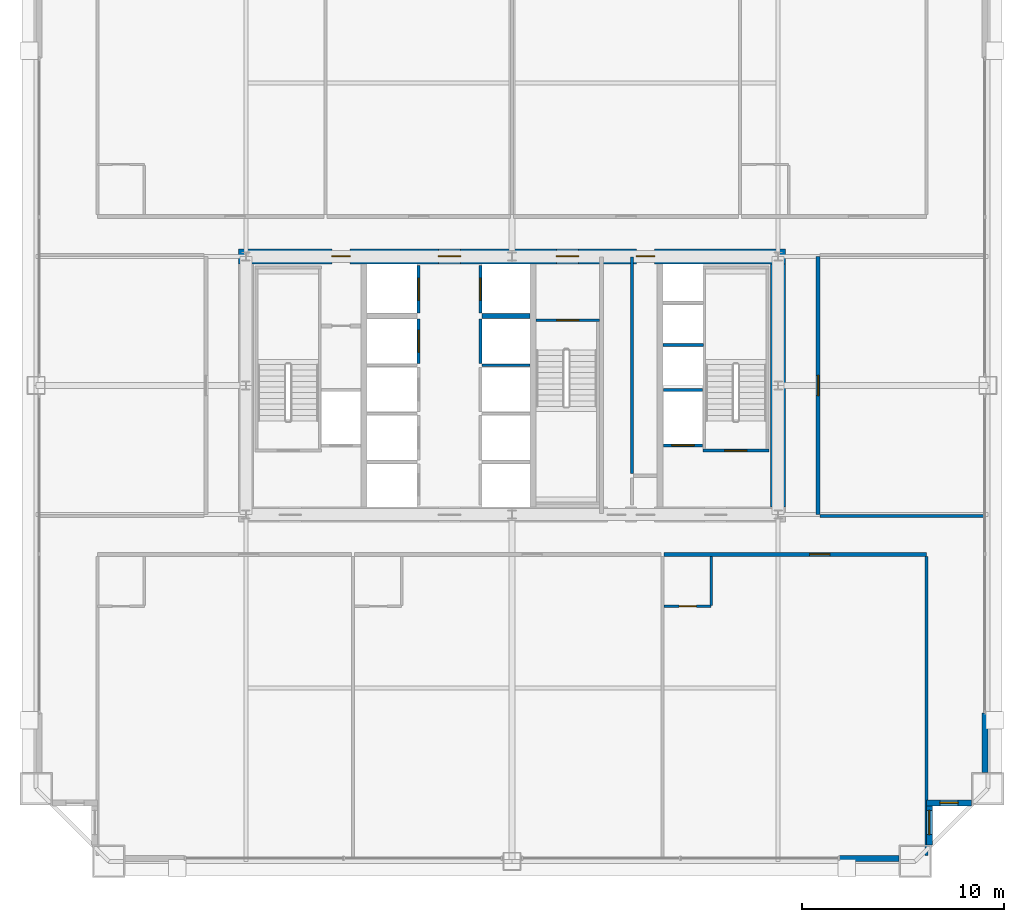
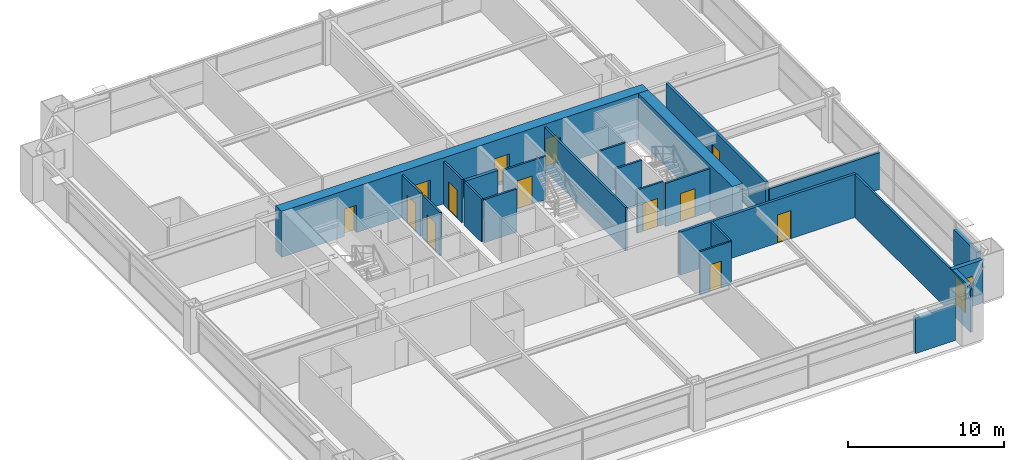
# One storey, part 35 of 37: 24 walls, 13 doors, 2 windows, 15 openings.
"""IFC4 building model written with IfcOpenShell, lengths in metres."""

from ifc_helpers import new_model, si_unit, direction, frame, frame_2d, origin, place, context, subcontext, project, spatial, rectangle, extrude, source, transform, mapped, material, layer, layer_set, type_object, element, fill, save


model = new_model("IFC4")

# Units and contexts
model_context = context("Model", 3, precision=1e-05, world=origin(), true_north=direction((0.0, 1.0)))
body_context = subcontext(model_context, "Body", "Model", "MODEL_VIEW")
ifc_project = project(units=[si_unit("LENGTHUNIT", "METRE"), si_unit("AREAUNIT", "SQUARE_METRE"), si_unit("VOLUMEUNIT", "CUBIC_METRE"), si_unit("PLANEANGLEUNIT", "RADIAN"), si_unit("MASSUNIT", "GRAM", prefix="KILO"), si_unit("THERMODYNAMICTEMPERATUREUNIT", "KELVIN"), si_unit("POWERUNIT", "WATT")], contexts=[model_context])

# Site, building, storey
site_placement = place(None, origin())
site = spatial("IfcSite", under=ifc_project, at=site_placement, CompositionType="ELEMENT")
building_placement = place(site_placement, origin())
building = spatial("IfcBuilding", under=site, at=building_placement, Name="Yuzanri Waterfront Tower", CompositionType="ELEMENT")
storey_placement = place(building_placement, frame((0.0, 0.0, 104.60009765625)))
storey = spatial("IfcBuildingStorey", under=building, at=storey_placement, Name="L27", CompositionType="ELEMENT", Elevation=104.60009765625)

# Wall, opening, door
ifc_material_1 = material(Name="Moisture-Resistant Gypsum Stud Wall", Category="gypsum")
ifc_layer_1 = layer(ifc_material_1, 0.1201171875)
ifc_layer_set_1 = layer_set([ifc_layer_1], Name="Moisture-Resistant Gypsum Stud Wall")
wall_type_1 = type_object("IfcWallType", Name="Bathroom and Kitchen Wet Partition 120", PredefinedType="PARTITIONING", material=ifc_layer_set_1)
wall_1_placement = place(storey_placement, frame((44.550048828125, 14.840087890625, 0.0), z_axis=(0.0, 0.0, 1.0), x_axis=(1.0, 0.0, 0.0)))
wall_1 = element("IfcWall", 1, at=wall_1_placement, inside=storey, type_object=wall_type_1, Name="L27 Partition UW-L27-S3-BS", PredefinedType="PARTITIONING", context=body_context, shape_type="SweptSolid", body=[
    extrude(rectangle(XDim=2.329833984375, YDim=0.1201171875, at=frame_2d((1.1650390625, 0.0))), origin(), (0.0, 0.0, 1.0), 3.3798828125),
])
opening_1_placement = place(wall_1_placement, frame((0.739990234375, 0.0, 0.0)))
opening_1 = element("IfcOpeningElement", 2, at=opening_1_placement, cuts=wall_1, Name="Opening ID-0850", PredefinedType="OPENING", context=body_context, shape_type="SweptSolid", body=[
    extrude(rectangle(XDim=0.85009765625, YDim=2.10009765625, at=frame_2d((0.425048828125, 1.050048828125))), frame((0.0, 0.074951171875, 0.0), z_axis=(0.0, -1.0, 0.0), x_axis=(1.0, 0.0, 0.0)), (0.0, 0.0, 1.0), 0.14990234375),
])
ifc_material_2 = material(Name="Moisture-Resistant Lacquered Timber", Category="wood")
door_type_1 = type_object("IfcDoorType", Name="En-Suite Bathroom and Kitchen Swing Door 850x2100", OperationType="NOTDEFINED", PredefinedType="DOOR", material=ifc_material_2)
shared_shape_1 = source(origin(), body_context, "Body", "SweptSolid", [
    extrude(rectangle(XDim=0.85009765625, YDim=2.10009765625, at=frame_2d((0.425048828125, 1.050048828125))), frame((0.0, 0.02490234375, 0.0), z_axis=(0.0, -1.0, 0.0), x_axis=(1.0, 0.0, 0.0)), (0.0, 0.0, 1.0), 0.050048828125),
])
door_1_placement = place(opening_1_placement, origin())
door_1 = element("IfcDoor", 3, at=door_1_placement, inside=storey, type_object=door_type_1, Name="L27 Guest En-Suite Door", OperationType="SINGLE_SWING_RIGHT", OverallHeight=2.10009765625, OverallWidth=0.85009765625, PredefinedType="DOOR", context=body_context, shape_type="MappedRepresentation", body=[
    mapped(shared_shape_1, transform((0.0, 0.0, 0.0), scale=1.0)),
])
fill(opening_1, door_1)

# Wall, opening, window
ifc_material_3 = material(Name="Honed Chongqing Dark Basalt Stone", Category="masonry")
ifc_layer_2 = layer(ifc_material_3, 0.300048828125)
ifc_layer_set_2 = layer_set([ifc_layer_2], Name="Honed Chongqing Dark Basalt Stone")
wall_type_2 = type_object("IfcWallType", Name="Bronze Rainscreen Insulated Spandrel Portal Wall 300", PredefinedType="SOLIDWALL", material=ifc_layer_set_2)
wall_2_placement = place(storey_placement, frame((57.550048828125, 5.10009765625, 0.0), z_axis=(0.0, 0.0, 1.0), x_axis=(1.0, 0.0, 0.0)))
wall_2 = element("IfcWall", 4, at=wall_2_placement, inside=storey, type_object=wall_type_2, Name="L27 Notched Corner Masonry Wall SE-X", PredefinedType="SOLIDWALL", context=body_context, shape_type="SweptSolid", body=[
    extrude(rectangle(XDim=2.25, YDim=0.300048828125, at=frame_2d((1.125, 0.0))), origin(), (0.0, 0.0, 1.0), 3.3798828125),
])
opening_2_placement = place(wall_2_placement, frame((0.675048828125, 0.0, 0.85009765625)))
opening_2 = element("IfcOpeningElement", 5, at=opening_2_placement, cuts=wall_2, Name="Opening WN-05", PredefinedType="OPENING", context=body_context, shape_type="SweptSolid", body=[
    extrude(rectangle(XDim=0.89990234375, YDim=1.5, at=frame_2d((0.449951171875, 0.75))), frame((0.0, 0.1650390625, 0.0), z_axis=(0.0, -1.0, 0.0), x_axis=(1.0, 0.0, 0.0)), (0.0, 0.0, 1.0), 0.329833984375),
])
ifc_material_4 = material(Name="Double-Silver Low-E Insulated Glass", Category="glass")
window_type_1 = type_object("IfcWindowType", Name="Anodized Bronze Service and Stairwell Smoke-Vent Window 900x1500", PartitioningType="SINGLE_PANEL", PredefinedType="WINDOW", material=ifc_material_4)
shared_shape_2 = source(origin(), body_context, "Body", "SweptSolid", [
    extrude(rectangle(XDim=0.89990234375, YDim=1.5, at=frame_2d((0.449951171875, 0.75))), frame((0.0, 0.030029296875, 0.0), z_axis=(0.0, -1.0, 0.0), x_axis=(1.0, 0.0, 0.0)), (0.0, 0.0, 1.0), 0.06005859375),
])
window_1_placement = place(opening_2_placement, origin())
window_1 = element("IfcWindow", 6, at=window_1_placement, inside=storey, type_object=window_type_1, Name="L27 Notched Corner Window SE-X", OverallHeight=1.5, OverallWidth=0.89990234375, PartitioningType="SINGLE_PANEL", PredefinedType="WINDOW", context=body_context, shape_type="MappedRepresentation", body=[
    mapped(shared_shape_2, transform((0.0, 0.0, 0.0), scale=1.0)),
])
fill(opening_2, window_1)

wall_3_placement = place(storey_placement, frame((57.699951171875, 3.0, 0.0), z_axis=(0.0, 0.0, 1.0), x_axis=(0.0, 1.0, 0.0)))
wall_3 = element("IfcWall", 7, at=wall_3_placement, inside=storey, type_object=wall_type_2, Name="L27 Notched Corner Masonry Wall SE-Y", PredefinedType="SOLIDWALL", context=body_context, shape_type="SweptSolid", body=[
    extrude(rectangle(XDim=2.25, YDim=0.300048828125, at=frame_2d((1.125, 0.0))), origin(), (0.0, 0.0, 1.0), 3.3798828125),
])
opening_3_placement = place(wall_3_placement, frame((0.52490234375, 0.0, 0.85009765625)))
opening_3 = element("IfcOpeningElement", 8, at=opening_3_placement, cuts=wall_3, Name="Opening WN-02", PredefinedType="OPENING", context=body_context, shape_type="SweptSolid", body=[
    extrude(rectangle(XDim=1.199951171875, YDim=2.10009765625, at=frame_2d((0.60009765625, 1.050048828125))), frame((0.0, 0.1650390625, 0.0), z_axis=(0.0, -1.0, 0.0), x_axis=(1.0, 0.0, 0.0)), (0.0, 0.0, 1.0), 0.329833984375),
])
ifc_material_5 = material(Name="Double-Silver Low-E Insulated Glass", Category="glass")
window_type_2 = type_object("IfcWindowType", Name="Anodized Bronze Notched Corner Deep-Set Slot Window 1200x2100", PartitioningType="SINGLE_PANEL", PredefinedType="WINDOW", material=ifc_material_5)
shared_shape_3 = source(origin(), body_context, "Body", "SweptSolid", [
    extrude(rectangle(XDim=1.199951171875, YDim=2.10009765625, at=frame_2d((0.60009765625, 1.050048828125))), frame((0.0, 0.030029296875, 0.0), z_axis=(0.0, -1.0, 0.0), x_axis=(1.0, 0.0, 0.0)), (0.0, 0.0, 1.0), 0.06005859375),
])
window_2_placement = place(opening_3_placement, origin())
window_2 = element("IfcWindow", 9, at=window_2_placement, inside=storey, type_object=window_type_2, Name="L27 Notched Corner Window SE-Y", OverallHeight=2.10009765625, OverallWidth=1.199951171875, PartitioningType="SINGLE_PANEL", PredefinedType="WINDOW", context=body_context, shape_type="MappedRepresentation", body=[
    mapped(shared_shape_3, transform((0.0, 0.0, 0.0), scale=1.0)),
])
fill(opening_3, window_2)

# Wall, openings, doors
ifc_material_6 = material(Name="Concrete C55", Category="concrete")
ifc_layer_3 = layer(ifc_material_6, 0.75)
ifc_layer_set_3 = layer_set([ifc_layer_3], Name="Concrete C55")
wall_type_3 = type_object("IfcWallType", Name="Concrete C55 Low-Mid Zone Core Shear Wall 750", PredefinedType="SHEAR", material=ifc_layer_set_3)
wall_4_placement = place(storey_placement, frame((23.425048828125, 32.199951171875, 0.0), z_axis=(0.0, 0.0, 1.0), x_axis=(1.0, 0.0, 0.0)))
wall_4 = element("IfcWall", 10, at=wall_4_placement, inside=storey, type_object=wall_type_3, Name="L27 Core North Shear Wall", PredefinedType="SHEAR", context=body_context, shape_type="SweptSolid", body=[
    extrude(rectangle(XDim=27.14990234375, YDim=0.75, at=frame_2d((13.574951171875, 0.0))), origin(), (0.0, 0.0, 1.0), 3.599853515625),
])
opening_4_placement = place(wall_4_placement, frame((4.64501953125, 0.0, 0.0)))
opening_4 = element("IfcOpeningElement", 11, at=opening_4_placement, cuts=wall_4, Name="Opening FD-0900", PredefinedType="OPENING", context=body_context, shape_type="SweptSolid", body=[
    extrude(rectangle(XDim=0.89990234375, YDim=2.14990234375, at=frame_2d((0.449951171875, 1.074951171875))), frame((0.0, 0.389892578125, 0.0), z_axis=(0.0, -1.0, 0.0), x_axis=(1.0, 0.0, 0.0)), (0.0, 0.0, 1.0), 0.77978515625),
])
opening_5_placement = place(wall_4_placement, frame((9.925048828125, 0.0, 0.0)))
opening_5 = element("IfcOpeningElement", 12, at=opening_5_placement, cuts=wall_4, Name="Opening FD-1100", PredefinedType="OPENING", context=body_context, shape_type="SweptSolid", body=[
    extrude(rectangle(XDim=1.10009765625, YDim=2.199951171875, at=frame_2d((0.550048828125, 1.10009765625))), frame((0.0, 0.389892578125, 0.0), z_axis=(0.0, -1.0, 0.0), x_axis=(1.0, 0.0, 0.0)), (0.0, 0.0, 1.0), 0.77978515625),
])
opening_6_placement = place(wall_4_placement, frame((15.77490234375, 0.0, 0.0)))
opening_6 = element("IfcOpeningElement", 13, at=opening_6_placement, cuts=wall_4, Name="Opening FD-1100", PredefinedType="OPENING", context=body_context, shape_type="SweptSolid", body=[
    extrude(rectangle(XDim=1.10009765625, YDim=2.199951171875, at=frame_2d((0.550048828125, 1.10009765625))), frame((0.0, 0.389892578125, 0.0), z_axis=(0.0, -1.0, 0.0), x_axis=(1.0, 0.0, 0.0)), (0.0, 0.0, 1.0), 0.77978515625),
])
opening_7_placement = place(wall_4_placement, frame((19.7451171875, 0.0, 0.0)))
opening_7 = element("IfcOpeningElement", 14, at=opening_7_placement, cuts=wall_4, Name="Opening FD-0900", PredefinedType="OPENING", context=body_context, shape_type="SweptSolid", body=[
    extrude(rectangle(XDim=0.89990234375, YDim=2.14990234375, at=frame_2d((0.449951171875, 1.074951171875))), frame((0.0, 0.389892578125, 0.0), z_axis=(0.0, -1.0, 0.0), x_axis=(1.0, 0.0, 0.0)), (0.0, 0.0, 1.0), 0.77978515625),
])
ifc_material_7 = material(Name="Painted Galvanized Fire Steel", Category="steel")
door_type_2 = type_object("IfcDoorType", Name="Smoke-Proof Stair and Lobby Fire Door 1100x2200", OperationType="NOTDEFINED", PredefinedType="DOOR", material=ifc_material_7)
shared_shape_4 = source(origin(), body_context, "Body", "SweptSolid", [
    extrude(rectangle(XDim=1.10009765625, YDim=2.199951171875, at=frame_2d((0.550048828125, 1.10009765625))), frame((0.0, 0.02490234375, 0.0), z_axis=(0.0, -1.0, 0.0), x_axis=(1.0, 0.0, 0.0)), (0.0, 0.0, 1.0), 0.050048828125),
])
door_2_placement = place(opening_5_placement, origin())
door_2 = element("IfcDoor", 15, at=door_2_placement, inside=storey, type_object=door_type_2, Name="L27 Central Lift Lobby North Door", OperationType="SINGLE_SWING_LEFT", OverallHeight=2.199951171875, OverallWidth=1.10009765625, PredefinedType="DOOR", context=body_context, shape_type="MappedRepresentation", body=[
    mapped(shared_shape_4, transform((0.0, 0.0, 0.0), scale=1.0)),
])
fill(opening_5, door_2)
door_3_placement = place(opening_6_placement, origin())
door_3 = element("IfcDoor", 16, at=door_3_placement, inside=storey, type_object=door_type_2, Name="L27 North Stair Lobby Door", OperationType="SINGLE_SWING_RIGHT", OverallHeight=2.199951171875, OverallWidth=1.10009765625, PredefinedType="DOOR", context=body_context, shape_type="MappedRepresentation", body=[
    mapped(shared_shape_4, transform((0.0, 0.0, 0.0), scale=1.0)),
])
fill(opening_6, door_3)
ifc_material_8 = material(Name="Painted Galvanized Fire Steel", Category="steel")
door_type_3 = type_object("IfcDoorType", Name="Riser and Service Room Fire Door 900x2150", OperationType="NOTDEFINED", PredefinedType="DOOR", material=ifc_material_8)
shared_shape_5 = source(origin(), body_context, "Body", "SweptSolid", [
    extrude(rectangle(XDim=0.89990234375, YDim=2.14990234375, at=frame_2d((0.449951171875, 1.074951171875))), frame((0.0, 0.02490234375, 0.0), z_axis=(0.0, -1.0, 0.0), x_axis=(1.0, 0.0, 0.0)), (0.0, 0.0, 1.0), 0.050048828125),
])
door_4_placement = place(opening_4_placement, origin())
door_4 = element("IfcDoor", 17, at=door_4_placement, inside=storey, type_object=door_type_3, Name="L27 Telecom Riser Door", OperationType="SINGLE_SWING_RIGHT", OverallHeight=2.14990234375, OverallWidth=0.89990234375, PredefinedType="DOOR", context=body_context, shape_type="MappedRepresentation", body=[
    mapped(shared_shape_5, transform((0.0, 0.0, 0.0), scale=1.0)),
])
fill(opening_4, door_4)
door_5_placement = place(opening_7_placement, origin())
door_5 = element("IfcDoor", 18, at=door_5_placement, inside=storey, type_object=door_type_3, Name="L27 Linen Store Room", OperationType="SINGLE_SWING_RIGHT", OverallHeight=2.14990234375, OverallWidth=0.89990234375, PredefinedType="DOOR", context=body_context, shape_type="MappedRepresentation", body=[
    mapped(shared_shape_5, transform((0.0, 0.0, 0.0), scale=1.0)),
])
fill(opening_7, door_5)

# Wall, opening, door
ifc_material_9 = material(Name="Concrete C40", Category="concrete")
ifc_layer_4 = layer(ifc_material_9, 0.139892578125)
ifc_layer_set_4 = layer_set([ifc_layer_4], Name="Concrete C40")
wall_type_4 = type_object("IfcWallType", Name="Core Stair Liner and Hoistway Shaft Wall 140", PredefinedType="SOLIDWALL", material=ifc_layer_set_4)
wall_5_placement = place(storey_placement, frame((44.52001953125, 22.830078125, 0.0), z_axis=(0.0, 0.0, 1.0), x_axis=(1.0, 0.0, 0.0)))
wall_5 = element("IfcWall", 19, at=wall_5_placement, inside=storey, type_object=wall_type_4, Name="L27 Lift FL-02 Front Shaft Wall", PredefinedType="SOLIDWALL", context=body_context, shape_type="SweptSolid", body=[
    extrude(rectangle(XDim=1.919921875, YDim=0.139892578125, at=frame_2d((0.9599609375, 0.0))), origin(), (0.0, 0.0, 1.0), 3.3798828125),
])
opening_8_placement = place(wall_5_placement, frame((0.409912109375, 0.0, 0.0)))
opening_8 = element("IfcOpeningElement", 20, at=opening_8_placement, cuts=wall_5, Name="Opening LD-FL-02", PredefinedType="OPENING", context=body_context, shape_type="SweptSolid", body=[
    extrude(rectangle(XDim=1.10009765625, YDim=2.199951171875, at=frame_2d((0.550048828125, 1.10009765625))), frame((0.0, 0.0849609375, 0.0), z_axis=(0.0, -1.0, 0.0), x_axis=(1.0, 0.0, 0.0)), (0.0, 0.0, 1.0), 0.169677734375),
])
ifc_material_10 = material(Name="Brushed Bronze and Stainless Steel Cab", Category="steel")
door_type_4 = type_object("IfcDoorType", Name="Center-Parting Bronze Lift Landing Sliding Door 1100x2200", OperationType="NOTDEFINED", PredefinedType="DOOR", material=ifc_material_10)
shared_shape_6 = source(origin(), body_context, "Body", "SweptSolid", [
    extrude(rectangle(XDim=1.10009765625, YDim=2.199951171875, at=frame_2d((0.550048828125, 1.10009765625))), frame((0.0, 0.02490234375, 0.0), z_axis=(0.0, -1.0, 0.0), x_axis=(1.0, 0.0, 0.0)), (0.0, 0.0, 1.0), 0.050048828125),
])
door_6_placement = place(opening_8_placement, origin())
door_6 = element("IfcDoor", 21, at=door_6_placement, inside=storey, type_object=door_type_4, Name="L27 FL-02 Lift Landing Sliding Door", OperationType="SLIDING_TO_RIGHT", OverallHeight=2.199951171875, OverallWidth=1.10009765625, PredefinedType="DOOR", context=body_context, shape_type="MappedRepresentation", body=[
    mapped(shared_shape_6, transform((0.0, 0.0, 0.0), scale=1.0)),
])
fill(opening_8, door_6)

wall_6_placement = place(storey_placement, frame((32.3701171875, 26.89990234375, 0.0), z_axis=(0.0, 0.0, 1.0), x_axis=(0.0, 1.0, 0.0)))
wall_6 = element("IfcWall", 22, at=wall_6_placement, inside=storey, type_object=wall_type_4, Name="L27 Lift PL-04 Front Shaft Wall", PredefinedType="SOLIDWALL", context=body_context, shape_type="SweptSolid", body=[
    extrude(rectangle(XDim=2.2001953125, YDim=0.139892578125, at=frame_2d((1.10009765625, 0.0))), origin(), (0.0, 0.0, 1.0), 3.3798828125),
])
opening_9_placement = place(wall_6_placement, frame((0.550048828125, 0.0, 0.0)))
opening_9 = element("IfcOpeningElement", 23, at=opening_9_placement, cuts=wall_6, Name="Opening LD-PL-04", PredefinedType="OPENING", context=body_context, shape_type="SweptSolid", body=[
    extrude(rectangle(XDim=1.10009765625, YDim=2.199951171875, at=frame_2d((0.550048828125, 1.10009765625))), frame((0.0, 0.0849609375, 0.0), z_axis=(0.0, -1.0, 0.0), x_axis=(1.0, 0.0, 0.0)), (0.0, 0.0, 1.0), 0.169677734375),
])
door_7_placement = place(opening_9_placement, origin())
door_7 = element("IfcDoor", 24, at=door_7_placement, inside=storey, type_object=door_type_4, Name="L27 PL-04 Lift Landing Sliding Door", OperationType="SLIDING_TO_RIGHT", OverallHeight=2.199951171875, OverallWidth=1.10009765625, PredefinedType="DOOR", context=body_context, shape_type="MappedRepresentation", body=[
    mapped(shared_shape_6, transform((0.0, 0.0, 0.0), scale=1.0)),
])
fill(opening_9, door_7)

wall_7_placement = place(storey_placement, frame((32.3701171875, 29.39990234375, 0.0), z_axis=(0.0, 0.0, 1.0), x_axis=(0.0, 1.0, 0.0)))
wall_7 = element("IfcWall", 25, at=wall_7_placement, inside=storey, type_object=wall_type_4, Name="L27 Lift SL-01 Front Shaft Wall", PredefinedType="SOLIDWALL", context=body_context, shape_type="SweptSolid", body=[
    extrude(rectangle(XDim=2.340087890625, YDim=0.139892578125, at=frame_2d((1.169921875, 0.0))), origin(), (0.0, 0.0, 1.0), 3.3798828125),
])
opening_10_placement = place(wall_7_placement, frame((0.6201171875, 0.0, 0.0)))
opening_10 = element("IfcOpeningElement", 26, at=opening_10_placement, cuts=wall_7, Name="Opening LD-SL-01", PredefinedType="OPENING", context=body_context, shape_type="SweptSolid", body=[
    extrude(rectangle(XDim=1.10009765625, YDim=2.199951171875, at=frame_2d((0.550048828125, 1.10009765625))), frame((0.0, 0.0849609375, 0.0), z_axis=(0.0, -1.0, 0.0), x_axis=(1.0, 0.0, 0.0)), (0.0, 0.0, 1.0), 0.169677734375),
])
door_8_placement = place(opening_10_placement, origin())
door_8 = element("IfcDoor", 27, at=door_8_placement, inside=storey, type_object=door_type_4, Name="L27 SL-01 Lift Landing Sliding Door", OperationType="SLIDING_TO_LEFT", OverallHeight=2.199951171875, OverallWidth=1.10009765625, PredefinedType="DOOR", context=body_context, shape_type="MappedRepresentation", body=[
    mapped(shared_shape_6, transform((0.0, 0.0, 0.0), scale=1.0)),
])
fill(opening_10, door_8)

wall_8_placement = place(storey_placement, frame((35.429931640625, 29.39990234375, 0.0), z_axis=(0.0, 0.0, 1.0), x_axis=(0.0, 1.0, 0.0)))
wall_8 = element("IfcWall", 28, at=wall_8_placement, inside=storey, type_object=wall_type_4, Name="L27 Lift SL-02 Front Shaft Wall", PredefinedType="SOLIDWALL", context=body_context, shape_type="SweptSolid", body=[
    extrude(rectangle(XDim=2.340087890625, YDim=0.139892578125, at=frame_2d((1.169921875, 0.0))), origin(), (0.0, 0.0, 1.0), 3.3798828125),
])
opening_11_placement = place(wall_8_placement, frame((0.6201171875, 0.0, 0.0)))
opening_11 = element("IfcOpeningElement", 29, at=opening_11_placement, cuts=wall_8, Name="Opening LD-SL-02", PredefinedType="OPENING", context=body_context, shape_type="SweptSolid", body=[
    extrude(rectangle(XDim=1.10009765625, YDim=2.199951171875, at=frame_2d((0.550048828125, 1.10009765625))), frame((0.0, 0.0849609375, 0.0), z_axis=(0.0, -1.0, 0.0), x_axis=(1.0, 0.0, 0.0)), (0.0, 0.0, 1.0), 0.169677734375),
])
door_9_placement = place(opening_11_placement, origin())
door_9 = element("IfcDoor", 30, at=door_9_placement, inside=storey, type_object=door_type_4, Name="L27 SL-02 Lift Landing Sliding Door", OperationType="SLIDING_TO_RIGHT", OverallHeight=2.199951171875, OverallWidth=1.10009765625, PredefinedType="DOOR", context=body_context, shape_type="MappedRepresentation", body=[
    mapped(shared_shape_6, transform((0.0, 0.0, 0.0), scale=1.0)),
])
fill(opening_11, door_9)

wall_9_placement = place(storey_placement, frame((46.4599609375, 22.570068359375, 0.0), z_axis=(0.0, 0.0, 1.0), x_axis=(1.0, 0.0, 0.0)))
wall_9 = element("IfcWall", 31, at=wall_9_placement, inside=storey, type_object=wall_type_4, Name="L27 Shaft Wall STW-L27-ST-02-S", PredefinedType="SOLIDWALL", context=body_context, shape_type="SweptSolid", body=[
    extrude(rectangle(XDim=3.280029296875, YDim=0.139892578125, at=frame_2d((1.64013671875, 0.0))), origin(), (0.0, 0.0, 1.0), 3.3798828125),
])
opening_12_placement = place(wall_9_placement, frame((1.090087890625, 0.0, 0.0)))
opening_12 = element("IfcOpeningElement", 32, at=opening_12_placement, cuts=wall_9, Name="Opening FD-1100", PredefinedType="OPENING", context=body_context, shape_type="SweptSolid", body=[
    extrude(rectangle(XDim=1.10009765625, YDim=2.199951171875, at=frame_2d((0.550048828125, 1.10009765625))), frame((0.0, 0.0849609375, 0.0), z_axis=(0.0, -1.0, 0.0), x_axis=(1.0, 0.0, 0.0)), (0.0, 0.0, 1.0), 0.169677734375),
])
door_10_placement = place(opening_12_placement, origin())
door_10 = element("IfcDoor", 33, at=door_10_placement, inside=storey, type_object=door_type_2, Name="L27 Stair ST-02 Fire Door", OperationType="SINGLE_SWING_LEFT", OverallHeight=2.199951171875, OverallWidth=1.10009765625, PredefinedType="DOOR", context=body_context, shape_type="MappedRepresentation", body=[
    mapped(shared_shape_4, transform((0.0, 0.0, 0.0), scale=1.0)),
])
fill(opening_12, door_10)

wall_10_placement = place(storey_placement, frame((38.199951171875, 29.030029296875, 0.0), z_axis=(0.0, 0.0, 1.0), x_axis=(1.0, 0.0, 0.0)))
wall_10 = element("IfcWall", 34, at=wall_10_placement, inside=storey, type_object=wall_type_4, Name="L27 Shaft Wall STW-L27-ST-03-N", PredefinedType="SOLIDWALL", context=body_context, shape_type="SweptSolid", body=[
    extrude(rectangle(XDim=3.14013671875, YDim=0.139892578125, at=frame_2d((1.570068359375, 0.0))), origin(), (0.0, 0.0, 1.0), 3.3798828125),
])
opening_13_placement = place(wall_10_placement, frame((1.02001953125, 0.0, 0.0)))
opening_13 = element("IfcOpeningElement", 35, at=opening_13_placement, cuts=wall_10, Name="Opening FD-1100", PredefinedType="OPENING", context=body_context, shape_type="SweptSolid", body=[
    extrude(rectangle(XDim=1.10009765625, YDim=2.199951171875, at=frame_2d((0.550048828125, 1.10009765625))), frame((0.0, 0.0849609375, 0.0), z_axis=(0.0, -1.0, 0.0), x_axis=(1.0, 0.0, 0.0)), (0.0, 0.0, 1.0), 0.169677734375),
])
door_11_placement = place(opening_13_placement, origin())
door_11 = element("IfcDoor", 36, at=door_11_placement, inside=storey, type_object=door_type_2, Name="L27 Stair ST-03 Fire Door", OperationType="SINGLE_SWING_RIGHT", OverallHeight=2.199951171875, OverallWidth=1.10009765625, PredefinedType="DOOR", context=body_context, shape_type="MappedRepresentation", body=[
    mapped(shared_shape_4, transform((0.0, 0.0, 0.0), scale=1.0)),
])
fill(opening_13, door_11)

ifc_material_11 = material(Name="Autoclaved Aerated Concrete Blockwork", Category="masonry")
ifc_layer_5 = layer(ifc_material_11, 0.199951171875)
ifc_layer_set_5 = layer_set([ifc_layer_5], Name="Autoclaved Aerated Concrete Blockwork")
wall_type_5 = type_object("IfcWallType", Name="Corridor and Unit Party Fire Wall 200", PredefinedType="PARTITIONING", material=ifc_layer_set_5)
wall_11_placement = place(storey_placement, frame((44.550048828125, 17.419921875, 0.0), z_axis=(0.0, 0.0, 1.0), x_axis=(1.0, 0.0, 0.0)))
wall_11 = element("IfcWall", 37, at=wall_11_placement, inside=storey, type_object=wall_type_5, Name="L27 Partition UW-L27-S3-CN", PredefinedType="PARTITIONING", context=body_context, shape_type="SweptSolid", body=[
    extrude(rectangle(XDim=13.010009765625, YDim=0.199951171875, at=frame_2d((6.5048828125, 0.0))), origin(), (0.0, 0.0, 1.0), 3.3798828125),
])
opening_14_placement = place(wall_11_placement, frame((7.2099609375, 0.0, 0.0)))
opening_14 = element("IfcOpeningElement", 38, at=opening_14_placement, cuts=wall_11, Name="Opening FD-1000", PredefinedType="OPENING", context=body_context, shape_type="SweptSolid", body=[
    extrude(rectangle(XDim=1.0, YDim=2.199951171875, at=frame_2d((0.5, 1.10009765625))), frame((0.0, 0.11474609375, 0.0), z_axis=(0.0, -1.0, 0.0), x_axis=(1.0, 0.0, 0.0)), (0.0, 0.0, 1.0), 0.229736328125),
])
ifc_material_12 = material(Name="Engineered Oak Fire-Rated Timber", Category="wood")
door_type_5 = type_object("IfcDoorType", Name="Guestroom and Apartment Entrance Fire Door 1000x2200", OperationType="NOTDEFINED", PredefinedType="DOOR", material=ifc_material_12)
shared_shape_7 = source(origin(), body_context, "Body", "SweptSolid", [
    extrude(rectangle(XDim=1.0, YDim=2.199951171875, at=frame_2d((0.5, 1.10009765625))), frame((0.0, 0.02490234375, 0.0), z_axis=(0.0, -1.0, 0.0), x_axis=(1.0, 0.0, 0.0)), (0.0, 0.0, 1.0), 0.050048828125),
])
door_12_placement = place(opening_14_placement, origin())
door_12 = element("IfcDoor", 39, at=door_12_placement, inside=storey, type_object=door_type_5, Name="L27 Ambassador Corner Suite Entrance Door", OperationType="SINGLE_SWING_LEFT", OverallHeight=2.199951171875, OverallWidth=1.0, PredefinedType="DOOR", context=body_context, shape_type="MappedRepresentation", body=[
    mapped(shared_shape_7, transform((0.0, 0.0, 0.0), scale=1.0)),
])
fill(opening_14, door_12)

wall_12_placement = place(storey_placement, frame((52.179931640625, 19.409912109375, 0.0), z_axis=(0.0, 0.0, 1.0), x_axis=(0.0, 1.0, 0.0)))
wall_12 = element("IfcWall", 40, at=wall_12_placement, inside=storey, type_object=wall_type_5, Name="L27 Partition UW-L27-E1-CW", PredefinedType="PARTITIONING", context=body_context, shape_type="SweptSolid", body=[
    extrude(rectangle(XDim=12.780029296875, YDim=0.199951171875, at=frame_2d((6.39013671875, 0.0))), origin(), (0.0, 0.0, 1.0), 3.3798828125),
])
opening_15_placement = place(wall_12_placement, frame((5.889892578125, 0.0, 0.0)))
opening_15 = element("IfcOpeningElement", 41, at=opening_15_placement, cuts=wall_12, Name="Opening FD-1000", PredefinedType="OPENING", context=body_context, shape_type="SweptSolid", body=[
    extrude(rectangle(XDim=1.0, YDim=2.199951171875, at=frame_2d((0.5, 1.10009765625))), frame((0.0, 0.11474609375, 0.0), z_axis=(0.0, -1.0, 0.0), x_axis=(1.0, 0.0, 0.0)), (0.0, 0.0, 1.0), 0.229736328125),
])
door_13_placement = place(opening_15_placement, origin())
door_13 = element("IfcDoor", 42, at=door_13_placement, inside=storey, type_object=door_type_5, Name="L27 Executive Wellness Gym Studio Entrance Door", OperationType="SINGLE_SWING_RIGHT", OverallHeight=2.199951171875, OverallWidth=1.0, PredefinedType="DOOR", context=body_context, shape_type="MappedRepresentation", body=[
    mapped(shared_shape_7, transform((0.0, 0.0, 0.0), scale=1.0)),
])
fill(opening_15, door_13)

# Walls
shared_shape_8 = source(origin(), body_context, "Body", "SweptSolid", [
    extrude(rectangle(XDim=12.050048828125, YDim=0.75, at=frame_2d((6.02490234375, 0.0))), origin(), (0.0, 0.0, 1.0), 3.599853515625),
])
wall_13_placement = place(storey_placement, frame((50.199951171875, 19.77490234375, 0.0), z_axis=(0.0, 0.0, 1.0), x_axis=(0.0, 1.0, 0.0)))
element("IfcWall", 43, at=wall_13_placement, inside=storey, type_object=wall_type_3, Name="L27 Core East Shear Wall", PredefinedType="SHEAR", context=body_context, shape_type="MappedRepresentation", body=[
    mapped(shared_shape_8, transform((0.0, 0.0, 0.0), scale=1.0)),
])
shared_shape_9 = source(origin(), body_context, "Body", "SweptSolid", [
    extrude(rectangle(XDim=2.949951171875, YDim=0.300048828125, at=frame_2d((1.47509765625, 0.0))), origin(), (0.0, 0.0, 1.0), 2.77490234375),
])
for number, where, z_axis, x_axis, name in (
    (44, (53.25, 2.35009765625, 0.0), (0.0, 0.0, 1.0), (1.0, 0.0, 0.0), "L27 S Right Braced Masonry Shoulder"),
    (45, (60.449951171875, 6.60009765625, 0.0), (0.0, 0.0, 1.0), (0.0, 1.0, 0.0), "L27 E Left Braced Masonry Shoulder"),
):
    element("IfcWall", number, at=place(storey_placement, frame(where, z_axis=z_axis, x_axis=x_axis)), inside=storey, type_object=wall_type_2, Name=name, PredefinedType="SOLIDWALL", context=body_context, shape_type="MappedRepresentation", body=[
        mapped(shared_shape_9, transform((0.0, 0.0, 0.0), scale=1.0)),
    ])
shared_shape_10 = source(origin(), body_context, "Body", "SweptSolid", [
    extrude(rectangle(XDim=1.919921875, YDim=0.139892578125, at=frame_2d((0.9599609375, 0.0))), origin(), (0.0, 0.0, 1.0), 3.3798828125),
])
wall_14_placement = place(storey_placement, frame((44.52001953125, 25.570068359375, 0.0), z_axis=(0.0, 0.0, 1.0), x_axis=(1.0, 0.0, 0.0)))
element("IfcWall", 46, at=wall_14_placement, inside=storey, type_object=wall_type_4, Name="L27 Lift FL-02 Back Shaft Wall", PredefinedType="SOLIDWALL", context=body_context, shape_type="MappedRepresentation", body=[
    mapped(shared_shape_10, transform((0.0, 0.0, 0.0), scale=1.0)),
])
shared_shape_11 = source(origin(), body_context, "Body", "SweptSolid", [
    extrude(rectangle(XDim=2.39990234375, YDim=0.139892578125, at=frame_2d((1.199951171875, 0.0))), origin(), (0.0, 0.0, 1.0), 3.3798828125),
])
wall_15_placement = place(storey_placement, frame((35.5, 26.800048828125, 0.0), z_axis=(0.0, 0.0, 1.0), x_axis=(1.0, 0.0, 0.0)))
element("IfcWall", 47, at=wall_15_placement, inside=storey, type_object=wall_type_4, Name="L27 Lift PL-07 Divider Wall", PredefinedType="SOLIDWALL", context=body_context, shape_type="MappedRepresentation", body=[
    mapped(shared_shape_11, transform((0.0, 0.0, 0.0), scale=1.0)),
])
shared_shape_12 = source(origin(), body_context, "Body", "SweptSolid", [
    extrude(rectangle(XDim=2.2001953125, YDim=0.139892578125, at=frame_2d((1.10009765625, 0.0))), origin(), (0.0, 0.0, 1.0), 3.3798828125),
])
wall_16_placement = place(storey_placement, frame((35.429931640625, 26.89990234375, 0.0), z_axis=(0.0, 0.0, 1.0), x_axis=(0.0, 1.0, 0.0)))
element("IfcWall", 48, at=wall_16_placement, inside=storey, type_object=wall_type_4, Name="L27 Lift PL-08 Front Shaft Wall", PredefinedType="SOLIDWALL", context=body_context, shape_type="MappedRepresentation", body=[
    mapped(shared_shape_12, transform((0.0, 0.0, 0.0), scale=1.0)),
])
ifc_material_13 = material(Name="Concrete C40", Category="concrete")
ifc_layer_6 = layer(ifc_material_13, 0.25)
ifc_layer_set_6 = layer_set([ifc_layer_6], Name="Concrete C40")
wall_type_6 = type_object("IfcWallType", Name="Smoke-Proof Stair and Lift Shaft Wall 250", PredefinedType="SOLIDWALL", material=ifc_layer_set_6)
shared_shape_13 = source(origin(), body_context, "Body", "SweptSolid", [
    extrude(rectangle(XDim=2.39990234375, YDim=0.25, at=frame_2d((1.199951171875, 0.0))), origin(), (0.0, 0.0, 1.0), 3.3798828125),
])
wall_17_placement = place(storey_placement, frame((35.5, 29.25, 0.0), z_axis=(0.0, 0.0, 1.0), x_axis=(1.0, 0.0, 0.0)))
element("IfcWall", 49, at=wall_17_placement, inside=storey, type_object=wall_type_6, Name="L27 Lift SL-02 South Shaft Wall", PredefinedType="SOLIDWALL", context=body_context, shape_type="MappedRepresentation", body=[
    mapped(shared_shape_13, transform((0.0, 0.0, 0.0), scale=1.0)),
])
shared_shape_14 = source(origin(), body_context, "Body", "SweptSolid", [
    extrude(rectangle(XDim=2.0, YDim=0.139892578125, at=frame_2d((1.0, 0.0))), origin(), (0.0, 0.0, 1.0), 3.3798828125),
])
wall_18_placement = place(storey_placement, frame((44.5, 27.800048828125, 0.0), z_axis=(0.0, 0.0, 1.0), x_axis=(1.0, 0.0, 0.0)))
element("IfcWall", 50, at=wall_18_placement, inside=storey, type_object=wall_type_4, Name="L27 Lift PL-09 Divider Wall", PredefinedType="SOLIDWALL", context=body_context, shape_type="MappedRepresentation", body=[
    mapped(shared_shape_14, transform((0.0, 0.0, 0.0), scale=1.0)),
])
shared_shape_15 = source(origin(), body_context, "Body", "SweptSolid", [
    extrude(rectangle(XDim=2.420166015625, YDim=0.1201171875, at=frame_2d((1.2099609375, 0.0))), origin(), (0.0, 0.0, 1.0), 3.3798828125),
])
wall_19_placement = place(storey_placement, frame((46.8798828125, 14.89990234375, 0.0), z_axis=(0.0, 0.0, 1.0), x_axis=(0.0, 1.0, 0.0)))
element("IfcWall", 51, at=wall_19_placement, inside=storey, type_object=wall_type_1, Name="L27-S3 En-Suite Side Wall", PredefinedType="PARTITIONING", context=body_context, shape_type="MappedRepresentation", body=[
    mapped(shared_shape_15, transform((0.0, 0.0, 0.0), scale=1.0)),
])
ifc_material_14 = material(Name="Gypsum Fireboard Acoustic Stud Wall", Category="gypsum")
ifc_layer_7 = layer(ifc_material_14, 0.159912109375)
ifc_layer_set_7 = layer_set([ifc_layer_7], Name="Gypsum Fireboard Acoustic Stud Wall")
wall_type_7 = type_object("IfcWallType", Name="Acoustic Suite Demising Partition 160", PredefinedType="PARTITIONING", material=ifc_layer_set_7)
shared_shape_16 = source(origin(), body_context, "Body", "SweptSolid", [
    extrude(rectangle(XDim=10.719970703125, YDim=0.159912109375, at=frame_2d((5.35986328125, 0.0))), origin(), (0.0, 0.0, 1.0), 3.3798828125),
])
wall_20_placement = place(storey_placement, frame((42.949951171875, 21.43994140625, 0.0), z_axis=(0.0, 0.0, 1.0), x_axis=(0.0, 1.0, 0.0)))
element("IfcWall", 52, at=wall_20_placement, inside=storey, type_object=wall_type_7, Name="L27 Core BOH Mid Wall 2", PredefinedType="PARTITIONING", context=body_context, shape_type="MappedRepresentation", body=[
    mapped(shared_shape_16, transform((0.0, 0.0, 0.0), scale=1.0)),
])
shared_shape_17 = source(origin(), body_context, "Body", "SweptSolid", [
    extrude(rectangle(XDim=8.169921875, YDim=0.159912109375, at=frame_2d((4.0849609375, 0.0))), origin(), (0.0, 0.0, 1.0), 2.875),
])
wall_21_placement = place(storey_placement, frame((52.280029296875, 19.330078125, 0.0), z_axis=(0.0, 0.0, 1.0), x_axis=(1.0, 0.0, 0.0)))
element("IfcWall", 53, at=wall_21_placement, inside=storey, type_object=wall_type_7, Name="L27-E1 Wing South End Wall", PredefinedType="PARTITIONING", context=body_context, shape_type="MappedRepresentation", body=[
    mapped(shared_shape_17, transform((0.0, 0.0, 0.0), scale=1.0)),
])
shared_shape_18 = source(origin(), body_context, "Body", "SweptSolid", [
    extrude(rectangle(XDim=14.820068359375, YDim=0.159912109375, at=frame_2d((7.41015625, 0.0))), origin(), (0.0, 0.0, 1.0), 3.3798828125),
])
wall_22_placement = place(storey_placement, frame((57.550048828125, 2.5, 0.0), z_axis=(0.0, 0.0, 1.0), x_axis=(0.0, 1.0, 0.0)))
element("IfcWall", 54, at=wall_22_placement, inside=storey, type_object=wall_type_7, Name="L27 South Band East End Wall", PredefinedType="PARTITIONING", context=body_context, shape_type="MappedRepresentation", body=[
    mapped(shared_shape_18, transform((0.0, 0.0, 0.0), scale=1.0)),
])

save(model, "model.ifc")
